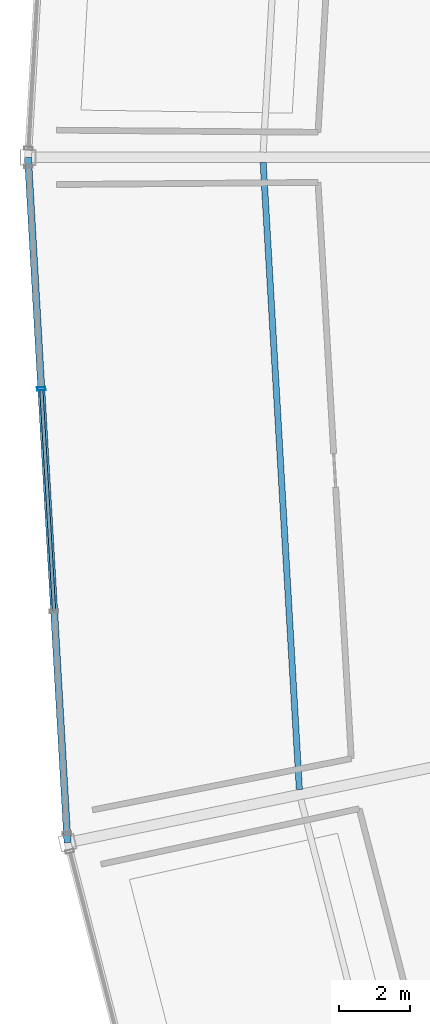
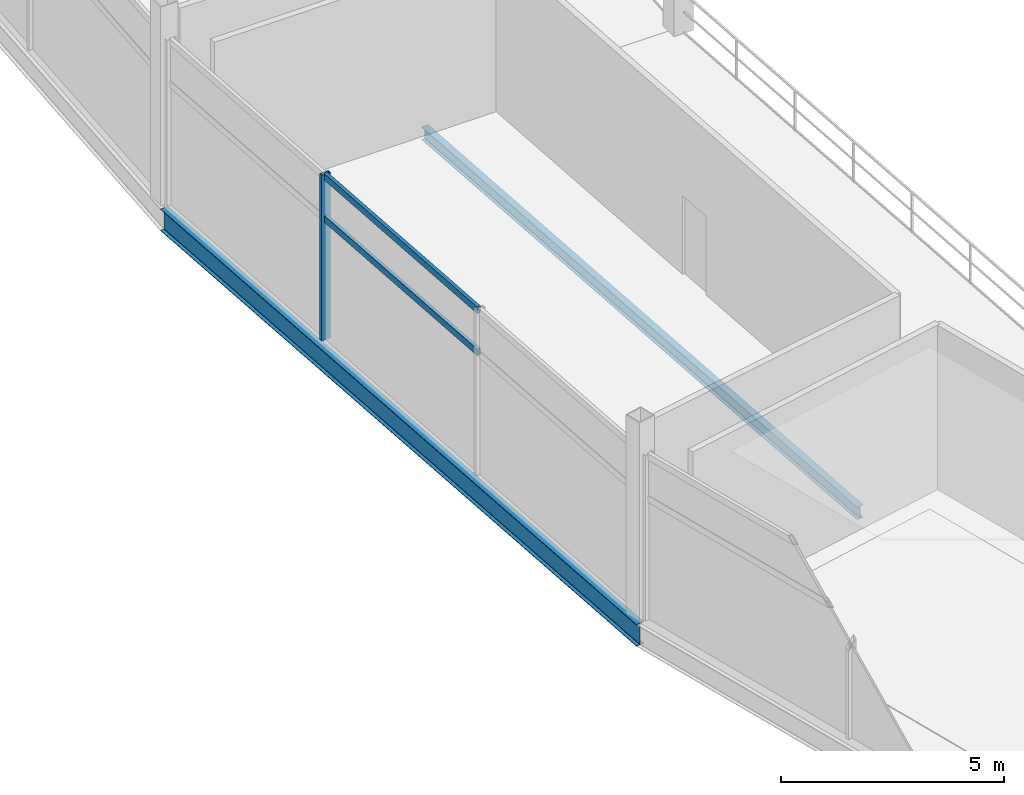
# One storey, part 35 of 103: 3 members, 2 beams, 1 element without a shape of its own.
"""IFC4 building model written with IfcOpenShell, lengths in metres."""

from ifc_helpers import new_model, si_unit, direction, frame, origin, origin_2d, place, context, subcontext, project, spatial, hollow_rectangle, i_section, extrude, material, layer, layer_set, material_profile, profile_set, type_object, element, aggregate, save


model = new_model("IFC4")

# Units and contexts
model_context = context("Model", 3, precision=1e-05, world=origin(), true_north=direction((0.0, 1.0)))
body_context = subcontext(model_context, "Body", "Model", "MODEL_VIEW")
ifc_project = project(units=[si_unit("LENGTHUNIT", "METRE"), si_unit("AREAUNIT", "SQUARE_METRE"), si_unit("VOLUMEUNIT", "CUBIC_METRE"), si_unit("PLANEANGLEUNIT", "RADIAN"), si_unit("MASSUNIT", "GRAM", prefix="KILO")], contexts=[model_context])

# Site, building, storey
site_placement = place(None, origin())
site = spatial("IfcSite", under=ifc_project, at=site_placement, CompositionType="ELEMENT")
building_placement = place(site_placement, origin())
building = spatial("IfcBuilding", under=site, at=building_placement, Name="Kazemori Nagisa Stadium", CompositionType="ELEMENT")
storey_placement = place(building_placement, frame((0.0, 0.0, 25.840087890625)))
storey = spatial("IfcBuildingStorey", under=building, at=storey_placement, Name="L05", CompositionType="ELEMENT", Elevation=25.840087890625)

# Beams
ifc_material_1 = material(Name="Steel SN490B", Category="steel")
ifc_material_profile_1 = material_profile(ifc_material_1, i_section(OverallWidth=0.175048828125, OverallDepth=0.35009765625, WebThickness=0.007080078125, FlangeThickness=0.010986328125, FilletRadius=0.012939453125, at=origin_2d()), Name="H-350x175x7x11")
ifc_profile_set_1 = profile_set([ifc_material_profile_1], Name="Steel SN490B")
beam_type_1 = type_object("IfcBeamType", Name="Beam_BJ-H350", PredefinedType="JOIST", material=ifc_profile_set_1)
beam_1_placement = place(storey_placement, frame((34.658447265625, 101.855224609375, -0.43505859375), z_axis=(0.057603114818, -0.998339562055, 0.0), x_axis=(0.998339562055, 0.057603114818, 0.0)))
element("IfcBeam", 1, at=beam_1_placement, inside=storey, type_object=beam_type_1, Name="Outer bay joist BJ-H350 L05 B15", PredefinedType="JOIST", context=body_context, shape_type="SweptSolid", body=[
    extrude(i_section(OverallWidth=0.175048828125, OverallDepth=0.35009765625, WebThickness=0.007080078125, FlangeThickness=0.010986328125, FilletRadius=0.012939453125, at=origin_2d()), origin(), (0.0, 0.0, 1.0), 17.77978515625),
])
ifc_material_profile_2 = material_profile(ifc_material_1, i_section(OverallWidth=0.199951171875, OverallDepth=0.60009765625, WebThickness=0.010986328125, FlangeThickness=0.01708984375, FilletRadius=0.012939453125, at=origin_2d()), Name="H-600x200x11x17")
ifc_profile_set_2 = profile_set([ifc_material_profile_2], Name="Steel SN490B")
beam_type_2 = type_object("IfcBeamType", Name="Beam_BS-H600", PredefinedType="SPANDREL", material=ifc_profile_set_2)
beam_2_placement = place(storey_placement, frame((28.0, 102.0, -0.56005859375), z_axis=(0.057598702622, -0.998339816624, 0.0), x_axis=(0.998339816624, 0.057598702622, 0.0)))
element("IfcBeam", 2, at=beam_2_placement, inside=storey, type_object=beam_type_2, Name="Ring girder BS-H600 L05 R3-15", PredefinedType="SPANDREL", context=body_context, shape_type="SweptSolid", body=[
    extrude(i_section(OverallWidth=0.199951171875, OverallDepth=0.60009765625, WebThickness=0.010986328125, FlangeThickness=0.01708984375, FilletRadius=0.012939453125, at=origin_2d()), origin(), (0.0, 0.0, 1.0), 19.429931640625),
])

# Curtain wall, members
ifc_material_2 = material(Name="Anodised aluminium 6063-T5", Category="aluminium")
ifc_layer = layer(ifc_material_2, 0.239990234375, Name="Anodised aluminium 6063-T5", Category="aluminium")
ifc_layer_set = layer_set([ifc_layer], Name="Anodised aluminium 6063-T5")
curtain_wall_type = type_object("IfcCurtainWallType", Name="CW_L05R3_95", PredefinedType="USERDEFINED", material=ifc_layer_set)
curtain_wall_placement = place(storey_placement, origin())
curtain_wall = element("IfcCurtainWall", 3, at=curtain_wall_placement, inside=storey, type_object=curtain_wall_type, Name="Unitised curtain wall CW-L05R3-95 L05", ObjectType="UNITISED CURTAIN WALL", PredefinedType="USERDEFINED")
ifc_material_3 = material(Name="Aluminium 6063-T5 anodised", Category="aluminium")
ifc_material_profile_3 = material_profile(ifc_material_3, hollow_rectangle(XDim=0.090087890625, YDim=0.239990234375, WallThickness=0.0048828125, at=origin_2d()), Name="ALU-MULL-90x240x5")
ifc_profile_set_3 = profile_set([ifc_material_profile_3], Name="Aluminium 6063-T5 anodised")
member_type_1 = type_object("IfcMemberType", Name="Mullion_M03", PredefinedType="MULLION", material=ifc_profile_set_3)
member_1_placement = place(storey_placement, frame((28.3779296875, 95.44921875, 0.0), z_axis=(0.0, 0.0, 1.0), x_axis=(0.057601670941, -0.998339645364, 0.0)))
member_1 = element("IfcMember", 4, at=member_1_placement, type_object=member_type_1, Name="Curtain wall mullion CW-L05R3-95-M2", PredefinedType="MULLION", context=body_context, shape_type="SweptSolid", body=[
    extrude(hollow_rectangle(XDim=0.090087890625, YDim=0.239990234375, WallThickness=0.0048828125, at=origin_2d()), origin(), (0.0, 0.0, 1.0), 4.530029296875),
])
ifc_material_profile_4 = material_profile(ifc_material_3, hollow_rectangle(XDim=0.090087890625, YDim=0.179931640625, WallThickness=0.0048828125, at=origin_2d()), Name="ALU-TRAN-90x180x5")
ifc_profile_set_4 = profile_set([ifc_material_profile_4], Name="Aluminium 6063-T5 anodised")
member_type_2 = type_object("IfcMemberType", Name="Transom_T03", PredefinedType="USERDEFINED", material=ifc_profile_set_4)
member_2_placement = place(storey_placement, frame((28.379150390625, 95.42919921875, 3.306884765625), z_axis=(0.057582347061, -0.998340760115, 0.0), x_axis=(0.998340760115, 0.057582347061, 0.0)))
member_2 = element("IfcMember", 5, at=member_2_placement, type_object=member_type_2, Name="Curtain wall transom CW-L05R3-95-T2-mid", ObjectType="TRANSOM", PredefinedType="USERDEFINED", context=body_context, shape_type="SweptSolid", body=[
    extrude(hollow_rectangle(XDim=0.090087890625, YDim=0.179931640625, WallThickness=0.0048828125, at=origin_2d()), origin(), (0.0, 0.0, 1.0), 6.2666015625),
])
member_3_placement = place(storey_placement, frame((28.379150390625, 95.42919921875, 4.4599609375), z_axis=(0.057582347061, -0.998340760115, 0.0), x_axis=(0.998340760115, 0.057582347061, 0.0)))
member_3 = element("IfcMember", 6, at=member_3_placement, type_object=member_type_2, Name="Curtain wall transom CW-L05R3-95-T2-head", ObjectType="TRANSOM", PredefinedType="USERDEFINED", context=body_context, shape_type="SweptSolid", body=[
    extrude(hollow_rectangle(XDim=0.090087890625, YDim=0.179931640625, WallThickness=0.0048828125, at=origin_2d()), origin(), (0.0, 0.0, 1.0), 6.2666015625),
])
aggregate(curtain_wall, [member_1, member_2, member_3])

save(model, "model.ifc")
